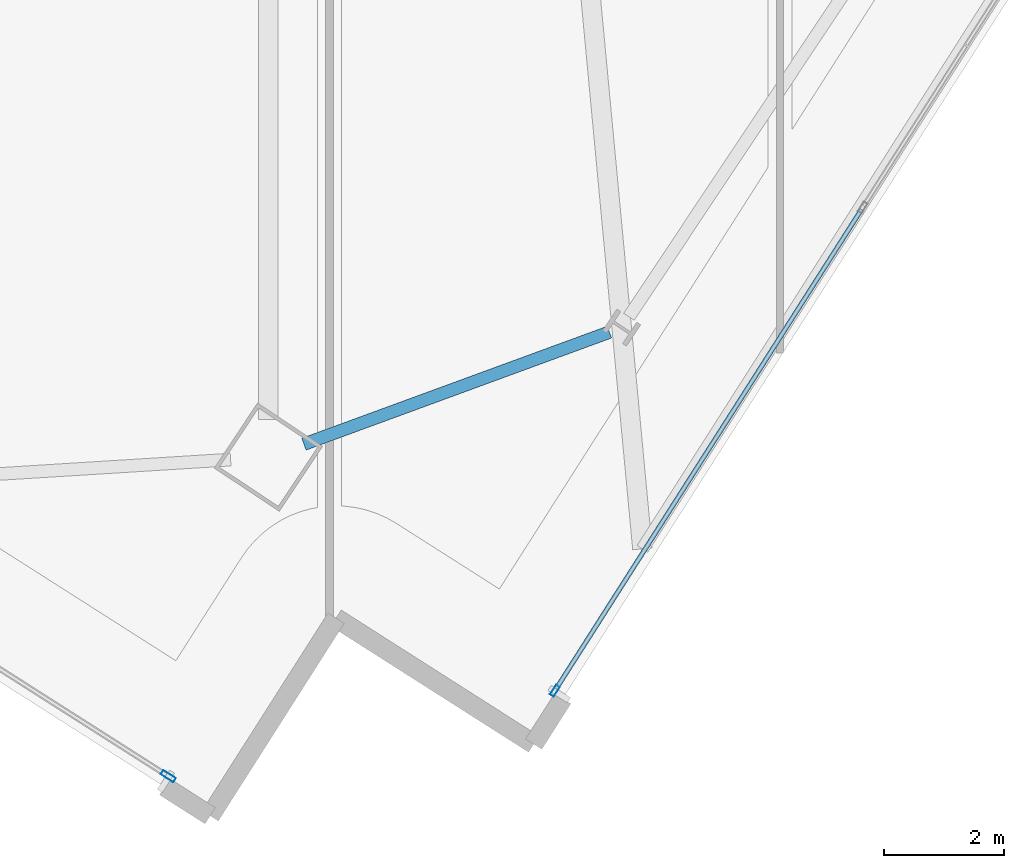
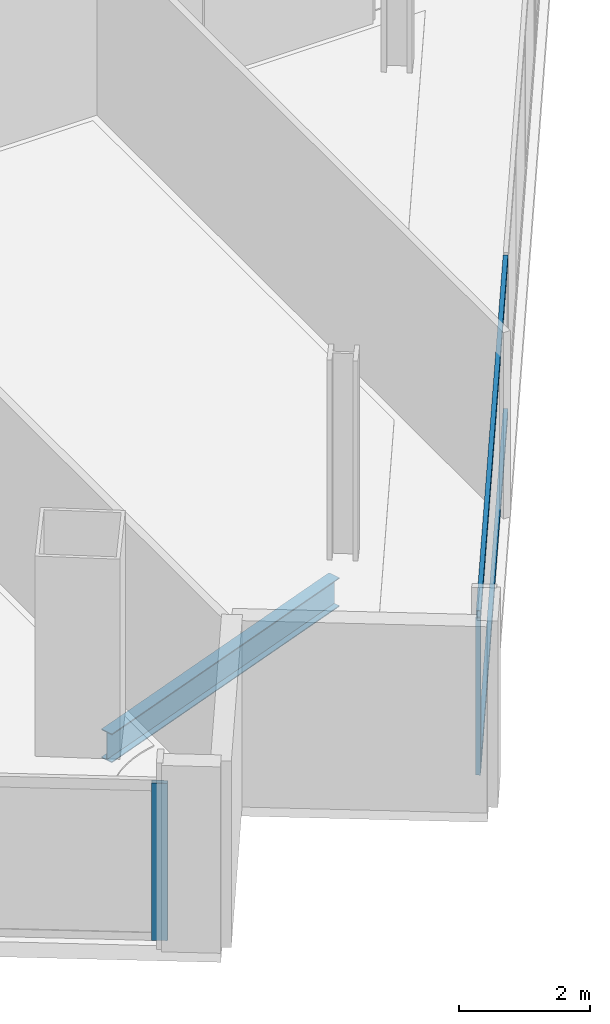
# One storey, part 8 of 30: 4 members, 1 beam, 2 elements without a shape of their own.
"""IFC4 building model written with IfcOpenShell, lengths in metres."""

from ifc_helpers import new_model, si_unit, direction, frame, origin, origin_2d, place, context, subcontext, project, spatial, hollow_rectangle, i_section, extrude, material, material_profile, profile_set, type_object, element, aggregate, save


model = new_model("IFC4")

# Units and contexts
model_context = context("Model", 3, precision=1e-05, world=origin(), true_north=direction((0.0, 1.0)))
body_context = subcontext(model_context, "Body", "Model", "MODEL_VIEW")
ifc_project = project(units=[si_unit("LENGTHUNIT", "METRE"), si_unit("AREAUNIT", "SQUARE_METRE"), si_unit("VOLUMEUNIT", "CUBIC_METRE"), si_unit("PLANEANGLEUNIT", "RADIAN"), si_unit("MASSUNIT", "GRAM", prefix="KILO")], contexts=[model_context])

# Site, building, storey
site_placement = place(None, origin())
site = spatial("IfcSite", under=ifc_project, at=site_placement, CompositionType="ELEMENT")
building_placement = place(site_placement, origin())
building = spatial("IfcBuilding", under=site, at=building_placement, Name="Haldenkirk Collegiate Tower", CompositionType="ELEMENT")
storey_placement = place(building_placement, frame((0.0, 0.0, 220.949951171875)))
storey = spatial("IfcBuildingStorey", under=building, at=storey_placement, Name="L55", CompositionType="ELEMENT", Elevation=220.949951171875)

# Beam
ifc_material_1 = material(Name="Steel ASTM A992 Grade 50", Category="steel")
ifc_material_profile_1 = material_profile(ifc_material_1, i_section(OverallWidth=0.2099609375, OverallDepth=0.537109375, WebThickness=0.010986328125, FlangeThickness=0.017333984375, at=origin_2d()), Name="W21X68")
ifc_profile_set_1 = profile_set([ifc_material_profile_1], Name="Steel ASTM A992 Grade 50")
beam_type = type_object("IfcBeamType", Name="BM-SPANDREL-W21X68", PredefinedType="SPANDREL", material=ifc_profile_set_1)
beam_placement = place(storey_placement, frame((41.07421875, 1.5498046875, -0.54833984375), z_axis=(0.938836975249, 0.344361922843, 0.0), x_axis=(-0.344361922843, 0.938836975249, 0.0)))
element("IfcBeam", 1, at=beam_placement, inside=storey, type_object=beam_type, Name="L55 perimeter spandrel beam 01", PredefinedType="SPANDREL", context=body_context, shape_type="SweptSolid", body=[
    extrude(i_section(OverallWidth=0.2099609375, OverallDepth=0.537109375, WebThickness=0.010986328125, FlangeThickness=0.017333984375, at=origin_2d()), origin(), (0.0, 0.0, 1.0), 5.41650390625),
])

# Curtain wall, member
ifc_material_2 = material(Name="Anodised architectural bronze aluminium", Category="aluminium")
curtain_wall_type_1 = type_object("IfcCurtainWallType", Name="CW-SYS2-CONCAVE", PredefinedType="USERDEFINED", material=ifc_material_2)
curtain_wall_1_placement = place(storey_placement, origin())
curtain_wall_1 = element("IfcCurtainWall", 2, at=curtain_wall_1_placement, inside=storey, type_object=curtain_wall_type_1, Name="L55 South concave recessed bronze-anodised curtain wall", ObjectType="UNITISED CURTAIN WALL", PredefinedType="USERDEFINED")
ifc_material_profile_2 = material_profile(ifc_material_2, hollow_rectangle(XDim=0.074951171875, YDim=0.18994140625, WallThickness=0.0048828125, at=origin_2d()), Name="CW-MUL-02")
ifc_profile_set_2 = profile_set([ifc_material_profile_2], Name="Anodised architectural bronze aluminium")
member_type_1 = type_object("IfcMemberType", Name="CW-MUL-02", PredefinedType="MULLION", material=ifc_profile_set_2)
member_1_placement = place(storey_placement, frame((45.251220703125, -2.55517578125, 0.0), z_axis=(0.0, 0.0, 1.0), x_axis=(0.843390453731, -0.5373011656, 0.0)))
member_1 = element("IfcMember", 3, at=member_1_placement, type_object=member_type_1, Name="CW-02 mullion 5", PredefinedType="MULLION", context=body_context, shape_type="SweptSolid", body=[
    extrude(hollow_rectangle(XDim=0.074951171875, YDim=0.18994140625, WallThickness=0.0048828125, at=origin_2d()), origin(), (0.0, 0.0, 1.0), 2.927978515625),
])

curtain_wall_type_2 = type_object("IfcCurtainWallType", Name="CW-SYS1B-CONVEX-HI", PredefinedType="USERDEFINED", material=ifc_material_2)
curtain_wall_2_placement = place(storey_placement, origin())
curtain_wall_2 = element("IfcCurtainWall", 4, at=curtain_wall_2_placement, inside=storey, type_object=curtain_wall_type_2, Name="L55 Upper tower high-wind convex bronze unitised curtain wall", ObjectType="UNITISED CURTAIN WALL", PredefinedType="USERDEFINED")
ifc_material_profile_3 = material_profile(ifc_material_2, hollow_rectangle(XDim=0.0849609375, YDim=0.25, WallThickness=0.0048828125, at=origin_2d()), Name="CW-MUL-1B")
ifc_profile_set_3 = profile_set([ifc_material_profile_3], Name="Anodised architectural bronze aluminium")
member_type_2 = type_object("IfcMemberType", Name="CW-MUL-1B", PredefinedType="MULLION", material=ifc_profile_set_3)
member_2_placement = place(storey_placement, frame((38.81640625, -3.97802734375, 0.0), z_axis=(0.0, 0.0, 1.0), x_axis=(-0.537300519173, -0.843390865552, 0.0)))
member_2 = element("IfcMember", 5, at=member_2_placement, type_object=member_type_2, Name="CW-1B mullion 1", PredefinedType="MULLION", context=body_context, shape_type="SweptSolid", body=[
    extrude(hollow_rectangle(XDim=0.0849609375, YDim=0.25, WallThickness=0.0048828125, at=origin_2d()), origin(), (0.0, 0.0, 1.0), 2.927978515625),
])
aggregate(curtain_wall_2, [member_2])

# Member
ifc_material_profile_4 = material_profile(ifc_material_2, hollow_rectangle(XDim=0.074951171875, YDim=0.159912109375, WallThickness=0.0048828125, at=origin_2d()), Name="CW-TRN-02")
ifc_profile_set_4 = profile_set([ifc_material_profile_4], Name="Anodised architectural bronze aluminium")
member_type_3 = type_object("IfcMemberType", Name="CW-TRN-02", PredefinedType="USERDEFINED", material=ifc_profile_set_4)
member_3_placement = place(storey_placement, frame((50.35546875, 5.45703125, 0.03759765625), z_axis=(-0.537307817689, -0.843386215829, 0.0), x_axis=(0.843386215829, -0.537307817689, 0.0)))
member_3 = element("IfcMember", 6, at=member_3_placement, type_object=member_type_3, Name="CW-02 transom 4.1", ObjectType="TRANSOM", PredefinedType="USERDEFINED", context=body_context, shape_type="SweptSolid", body=[
    extrude(hollow_rectangle(XDim=0.074951171875, YDim=0.159912109375, WallThickness=0.0048828125, at=origin_2d()), origin(), (0.0, 0.0, 1.0), 9.46240234375),
])

member_4_placement = place(storey_placement, frame((50.35546875, 5.45703125, 2.890625), z_axis=(-0.537307817689, -0.843386215829, 0.0), x_axis=(0.843386215829, -0.537307817689, 0.0)))
member_4 = element("IfcMember", 7, at=member_4_placement, type_object=member_type_3, Name="CW-02 transom 4.2", ObjectType="TRANSOM", PredefinedType="USERDEFINED", context=body_context, shape_type="SweptSolid", body=[
    extrude(hollow_rectangle(XDim=0.074951171875, YDim=0.159912109375, WallThickness=0.0048828125, at=origin_2d()), origin(), (0.0, 0.0, 1.0), 9.46240234375),
])

aggregate(curtain_wall_1, [member_1, member_3, member_4])

save(model, "model.ifc")
